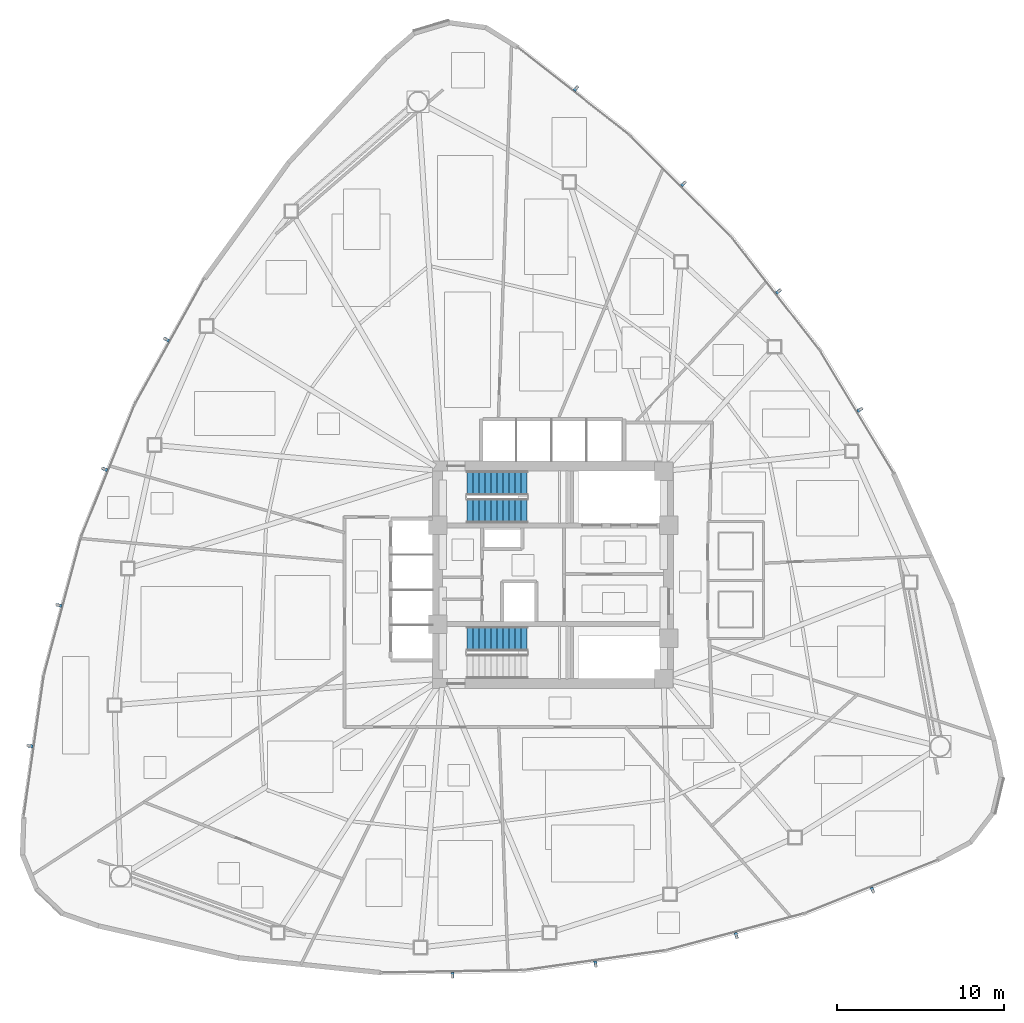
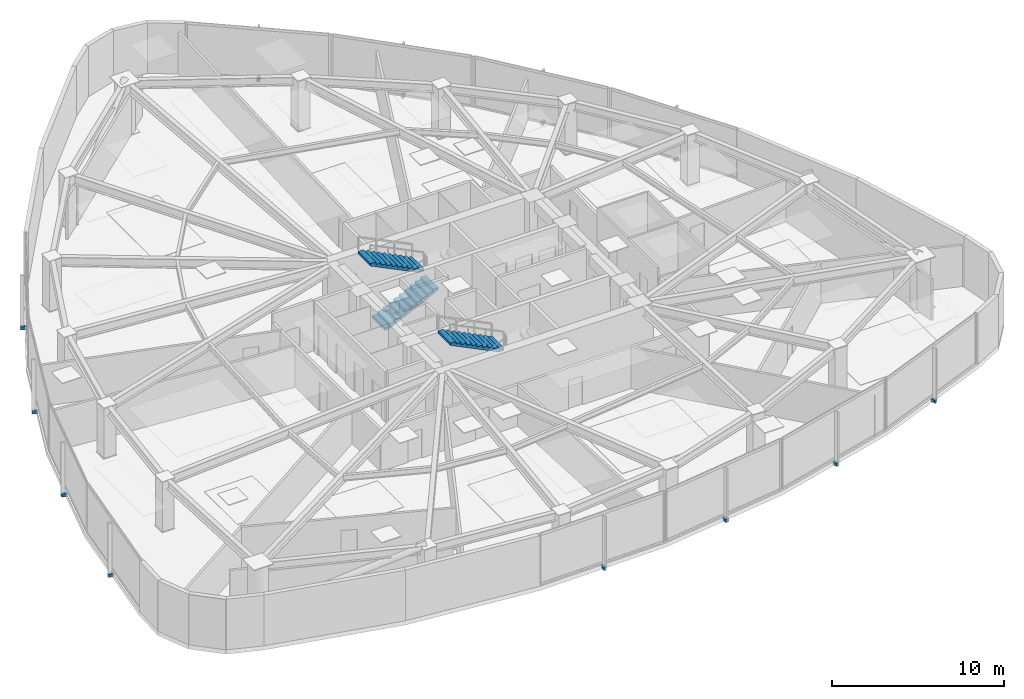
# One storey, part 13 of 17: 12 discrete accessories, 3 stair flights, 2 elements without a shape of their own.
"""IFC4 building model written with IfcOpenShell, lengths in metres."""

from ifc_helpers import new_model, si_unit, direction, frame, origin, origin_2d, place, context, subcontext, project, spatial, polyline, rectangle, outline, extrude, source, transform, mapped, material, type_object, type_shapes, element, aggregate, save


model = new_model("IFC4")

# Units and contexts
model_context = context("Model", 3, precision=1e-05, world=origin(), true_north=direction((0.0, 1.0)))
body_context = subcontext(model_context, "Body", "Model", "MODEL_VIEW")
ifc_project = project(units=[si_unit("LENGTHUNIT", "METRE"), si_unit("AREAUNIT", "SQUARE_METRE"), si_unit("VOLUMEUNIT", "CUBIC_METRE"), si_unit("PLANEANGLEUNIT", "RADIAN"), si_unit("MASSUNIT", "GRAM", prefix="KILO")], contexts=[model_context])

# Site, building, storey
site_placement = place(None, origin())
site = spatial("IfcSite", under=ifc_project, at=site_placement, CompositionType="ELEMENT")
building_placement = place(site_placement, origin())
building = spatial("IfcBuilding", under=site, at=building_placement, Name="Tavelor Broadcast Tower", CompositionType="ELEMENT")
storey_placement = place(building_placement, frame((0.0, 0.0, 43.199951171875)))
storey = spatial("IfcBuildingStorey", under=building, at=storey_placement, Name="L09", CompositionType="ELEMENT", Elevation=43.199951171875)

# Stair, stair flights
ifc_material_1 = material(Name="Concrete C40/50", Category="concrete")
stair_type = type_object("IfcStairType", Name="Reinforced Concrete Protected Dogleg Stair 1450 mm", PredefinedType="HALF_TURN_STAIR", material=ifc_material_1)
stair_1_placement = place(storey_placement, origin())
stair_1 = element("IfcStair", 1, at=stair_1_placement, inside=storey, type_object=stair_type, Name="L09 Protected Core Exit Stair ST1", PredefinedType="HALF_TURN_STAIR")
stair_flight_type = type_object("IfcStairFlightType", Name="Reinforced Concrete Stair Flight 1450 mm", PredefinedType="STRAIGHT", material=ifc_material_1)
stair_flight_1_placement = place(storey_placement, frame((44.85009765625, 48.824951171875, 0.0), z_axis=(0.0, 0.0, 1.0), x_axis=(1.0, 0.0, 0.0)))
stair_flight_1 = element("IfcStairFlight", 2, at=stair_flight_1_placement, type_object=stair_flight_type, Name="ST1 flight 1", NumberOfRisers=11, NumberOfTreads=10, PredefinedType="STRAIGHT", RiserHeight=0.177272727, TreadLength=0.36, context=body_context, shape_type="SweptSolid", body=[
    extrude(outline(polyline([(0.0, 0.0), (0.0, 0.17724609375), (0.360107421875, 0.17724609375), (0.360107421875, 0.3544921875), (0.719970703125, 0.3544921875), (0.719970703125, 0.53173828125), (1.080078125, 0.53173828125), (1.080078125, 0.708984375), (1.43994140625, 0.708984375), (1.43994140625, 0.886474609375), (1.800048828125, 0.886474609375), (1.800048828125, 1.063720703125), (2.159912109375, 1.063720703125), (2.159912109375, 1.240966796875), (2.52001953125, 1.240966796875), (2.52001953125, 1.418212890625), (2.8798828125, 1.418212890625), (2.8798828125, 1.595458984375), (3.239990234375, 1.595458984375), (3.239990234375, 1.772705078125), (3.60009765625, 1.772705078125), (3.60009765625, 1.949951171875), (3.60009765625, 1.605712890625), (0.33935546875, 0.0), (0.0, 0.0)])), frame((0.0, 0.72509765625, 0.0), z_axis=(0.0, -1.0, 0.0), x_axis=(1.0, 0.0, 0.0)), (0.0, 0.0, 1.0), 1.449951171875),
])
stair_flight_2_placement = place(storey_placement, frame((48.449951171875, 50.47509765625, 1.949951171875), z_axis=(0.0, 0.0, 1.0), x_axis=(-1.0, 0.0, 0.0)))
stair_flight_2 = element("IfcStairFlight", 3, at=stair_flight_2_placement, type_object=stair_flight_type, Name="ST1 flight 2", NumberOfRisers=11, NumberOfTreads=10, PredefinedType="STRAIGHT", RiserHeight=0.177272727, TreadLength=0.36, context=body_context, shape_type="SweptSolid", body=[
    extrude(outline(polyline([(0.0, 0.0), (0.0, 0.17724609375), (0.360107421875, 0.17724609375), (0.360107421875, 0.3544921875), (0.719970703125, 0.3544921875), (0.719970703125, 0.53173828125), (1.080078125, 0.53173828125), (1.080078125, 0.708984375), (1.43994140625, 0.708984375), (1.43994140625, 0.886474609375), (1.800048828125, 0.886474609375), (1.800048828125, 1.063720703125), (2.159912109375, 1.063720703125), (2.159912109375, 1.240966796875), (2.52001953125, 1.240966796875), (2.52001953125, 1.418212890625), (2.8798828125, 1.418212890625), (2.8798828125, 1.595458984375), (3.239990234375, 1.595458984375), (3.239990234375, 1.772705078125), (3.60009765625, 1.772705078125), (3.60009765625, 1.949951171875), (3.60009765625, 1.605712890625), (0.33935546875, 0.0), (0.0, 0.0)])), frame((0.0, 0.72509765625, 0.0), z_axis=(0.0, -1.0, 0.0), x_axis=(1.0, 0.0, 0.0)), (0.0, 0.0, 1.0), 1.449951171875),
])
aggregate(stair_1, [stair_flight_1, stair_flight_2])

# Stair, stair flight
stair_2_placement = place(storey_placement, origin())
stair_2 = element("IfcStair", 4, at=stair_2_placement, inside=storey, type_object=stair_type, Name="L09 Protected Core Exit Stair ST2", PredefinedType="HALF_TURN_STAIR")
stair_flight_3_placement = place(storey_placement, frame((48.449951171875, 41.175048828125, 1.949951171875), z_axis=(0.0, 0.0, 1.0), x_axis=(-1.0, 0.0, 0.0)))
stair_flight_3 = element("IfcStairFlight", 5, at=stair_flight_3_placement, type_object=stair_flight_type, Name="ST2 flight 2", NumberOfRisers=11, NumberOfTreads=10, PredefinedType="STRAIGHT", RiserHeight=0.177272727, TreadLength=0.36, context=body_context, shape_type="SweptSolid", body=[
    extrude(outline(polyline([(0.0, 0.0), (0.0, 0.17724609375), (0.360107421875, 0.17724609375), (0.360107421875, 0.3544921875), (0.719970703125, 0.3544921875), (0.719970703125, 0.53173828125), (1.080078125, 0.53173828125), (1.080078125, 0.708984375), (1.43994140625, 0.708984375), (1.43994140625, 0.886474609375), (1.800048828125, 0.886474609375), (1.800048828125, 1.063720703125), (2.159912109375, 1.063720703125), (2.159912109375, 1.240966796875), (2.52001953125, 1.240966796875), (2.52001953125, 1.418212890625), (2.8798828125, 1.418212890625), (2.8798828125, 1.595458984375), (3.239990234375, 1.595458984375), (3.239990234375, 1.772705078125), (3.60009765625, 1.772705078125), (3.60009765625, 1.949951171875), (3.60009765625, 1.605712890625), (0.33935546875, 0.0), (0.0, 0.0)])), frame((0.0, 0.72509765625, 0.0), z_axis=(0.0, -1.0, 0.0), x_axis=(1.0, 0.0, 0.0)), (0.0, 0.0, 1.0), 1.449951171875),
])
aggregate(stair_2, [stair_flight_3])

# Discrete accessories
ifc_material_2 = material(Name="Steel S355", Category="steel")
discrete_accessory_type = type_object("IfcDiscreteAccessoryType", Name="Stainless Baguette Outrigger Support Bracket 260x180", PredefinedType="BRACKET", material=ifc_material_2)
shared_shape = source(origin(), body_context, "Body", "SweptSolid", [
    extrude(rectangle(XDim=0.179931640625, YDim=0.340087890625, at=origin_2d()), origin(), (0.0, 0.0, 1.0), 0.216064453125),
])
type_shapes(discrete_accessory_type, [shared_shape])
for number, where, z_axis, x_axis, name in (
    (6, (26.9013671875, 59.052490234375, -0.2578125), (0.0, 0.0, 1.0), (-0.484504290844, -0.874788884333, 0.0), "L09 Baguette Outrigger Bracket 61"),
    (7, (23.208251953125, 51.309814453125, -0.2578125), (0.0, 0.0, 1.0), (-0.375092014374, -0.926987583926, 0.0), "L09 Baguette Outrigger Bracket 62"),
    (8, (20.479248046875, 43.177490234375, -0.2578125), (0.0, 0.0, 1.0), (-0.259998952669, -0.96560889837, 0.0), "L09 Baguette Outrigger Bracket 63"),
    (9, (18.754638671875, 34.7744140625, -0.2578125), (0.0, 0.0, 1.0), (-0.141246806796, -0.989974413594, 0.0), "L09 Baguette Outrigger Bracket 64"),
    (10, (43.9794921875, 21.08740234375, -0.2578125), (0.0, 0.0, 1.0), (0.999841542203, 0.017801418053, 0.0), "L09 Baguette Outrigger Bracket 65"),
    (11, (52.53125, 21.760498046875, -0.2578125), (0.0, 0.0, 1.0), (0.990316588987, 0.138827423723, 0.0), "L09 Baguette Outrigger Bracket 66"),
    (12, (60.93896484375, 23.46337890625, -0.2578125), (0.0, 0.0, 1.0), (0.966241312443, 0.257638751216, 0.0), "L09 Baguette Outrigger Bracket 67"),
    (13, (69.07861328125, 26.171142578125, -0.2578125), (0.0, 0.0, 1.0), (0.927966394667, 0.372663883908, 0.0), "L09 Baguette Outrigger Bracket 68"),
    (14, (68.319091796875, 54.860107421875, -0.2578125), (0.0, 0.0, 1.0), (-0.515337251359, 0.856987466281, 0.0), "L09 Baguette Outrigger Bracket 69"),
    (15, (63.46044921875, 61.9296875, -0.2578125), (0.0, 0.0, 1.0), (-0.615386370179, 0.78822561199, 0.0), "L09 Baguette Outrigger Bracket 70"),
    (16, (57.781982421875, 68.359375, -0.2578125), (0.0, 0.0, 1.0), (-0.706242359774, 0.707970147154, 0.0), "L09 Baguette Outrigger Bracket 71"),
    (17, (51.366943359375, 74.054443359375, -0.2578125), (0.0, 0.0, 1.0), (-0.78671958787, 0.617310529686, 0.0), "L09 Baguette Outrigger Bracket 72"),
):
    element("IfcDiscreteAccessory", number, at=place(storey_placement, frame(where, z_axis=z_axis, x_axis=x_axis)), inside=storey, type_object=discrete_accessory_type, Name=name, PredefinedType="BRACKET", context=body_context, shape_type="MappedRepresentation", body=[
        mapped(shared_shape, transform((0.0, 0.0, 0.0), scale=1.0)),
    ])

save(model, "model.ifc")
